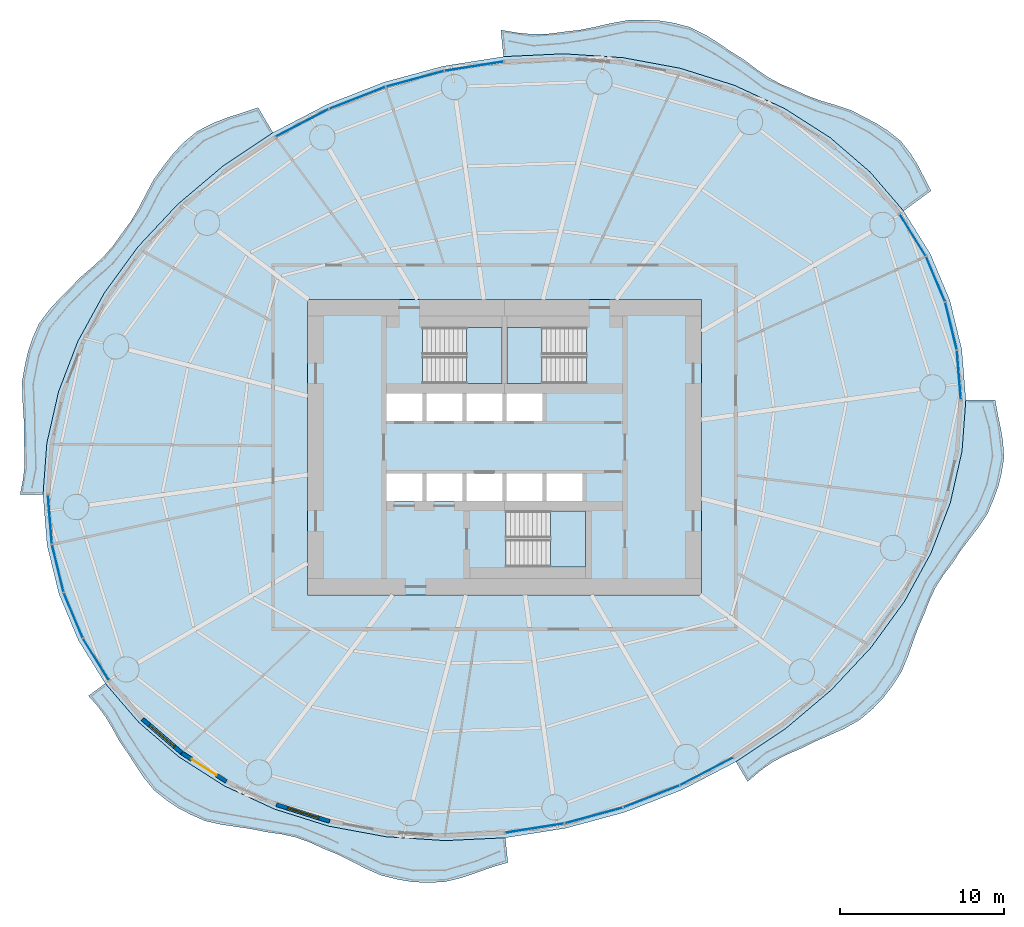
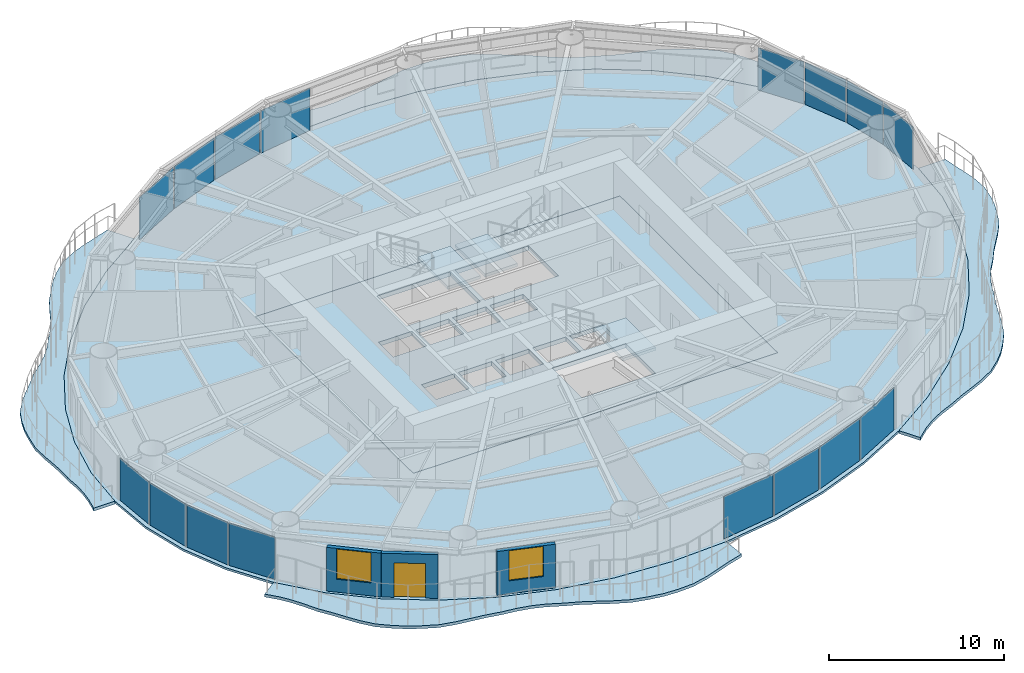
# One storey, part 6 of 14: 16 plates, 9 slabs, 3 walls, 2 windows, 1 door, 3 openings, 19 elements without a shape of their own.
"""IFC4 building model written with IfcOpenShell, lengths in metres."""

from ifc_helpers import new_model, si_unit, direction, frame, frame_2d, origin, origin_2d, place, context, subcontext, project, spatial, polyline, rectangle, outline, extrude, material, layer, layer_set, type_object, element, fill, aggregate, save


model = new_model("IFC4")

# Units and contexts
model_context = context("Model", 3, precision=1e-05, world=origin(), true_north=direction((0.0, 1.0)))
body_context = subcontext(model_context, "Body", "Model", "MODEL_VIEW")
ifc_project = project(units=[si_unit("LENGTHUNIT", "METRE"), si_unit("AREAUNIT", "SQUARE_METRE"), si_unit("VOLUMEUNIT", "CUBIC_METRE"), si_unit("PLANEANGLEUNIT", "RADIAN"), si_unit("MASSUNIT", "GRAM", prefix="KILO")], contexts=[model_context])

# Site, building, storey
site_placement = place(None, origin())
site = spatial("IfcSite", under=ifc_project, at=site_placement, CompositionType="ELEMENT")
building_placement = place(site_placement, origin())
building = spatial("IfcBuilding", under=site, at=building_placement, Name="Vermilion Reach Broadcast Tower", CompositionType="ELEMENT")
storey_placement = place(building_placement, frame((0.0, 0.0, 106.60009765625)))
storey = spatial("IfcBuildingStorey", under=building, at=storey_placement, Name="L24", CompositionType="ELEMENT", Elevation=106.60009765625)

# Slabs
ifc_material_1 = material(Name="Concrete C40/50", Category="concrete")
ifc_layer_1 = layer(ifc_material_1, 0.199951171875)
ifc_layer_set_1 = layer_set([ifc_layer_1], Name="Balcony slab 200")
slab_type_1 = type_object("IfcSlabType", Name="Balcony slab 200", PredefinedType="FLOOR", material=ifc_layer_set_1)
placement_1 = place(storey_placement, frame((0.0, 0.0, -0.2001953125)))
element("IfcSlab", 1, at=placement_1, inside=storey, type_object=slab_type_1, Name="Balcony slab L24 group 1", PredefinedType="FLOOR", context=body_context, shape_type="SweptSolid", body=[
    extrude(outline(polyline([(18.32763671875, 14.401123046875), (16.27783203125, 16.780517578125), (13.846923828125, 18.873046875), (11.076416015625, 20.642578125), (8.013671875, 22.058837890625), (4.711181640625, 23.09765625), (1.2255859375, 23.741455078125), (-2.384033203125, 23.978759765625), (-6.05517578125, 23.805908203125), (-6.22119140625, 25.42919921875), (-5.203857421875, 25.259521484375), (-4.27978515625, 25.1708984375), (-3.360595703125, 25.188232421875), (-2.371337890625, 25.319580078125), (-1.382080078125, 25.43310546875), (-0.463623046875, 25.61767578125), (0.456787109375, 25.83154296875), (1.51025390625, 26.023193359375), (2.55078125, 26.03857421875), (3.444580078125, 25.99853515625), (4.3203125, 25.86083984375), (5.331787109375, 25.593505859375), (6.257568359375, 25.12890625), (7.014404296875, 24.650634765625), (7.76171875, 24.142333984375), (8.612548828125, 23.607421875), (9.386962890625, 23.018798828125), (10.09326171875, 22.5361328125), (10.835693359375, 22.131591796875), (11.696533203125, 21.775390625), (12.528564453125, 21.389404296875), (13.32421875, 21.108154296875), (14.143310546875, 20.864013671875), (15.095703125, 20.552001953125), (15.96435546875, 20.103759765625), (16.69140625, 19.71923828125), (17.375244140625, 19.284423828125), (18.156494140625, 18.659912109375), (18.762451171875, 17.884521484375), (19.18212890625, 17.209716796875), (19.554931640625, 16.494384765625), (20.001953125, 15.63134765625), (18.32763671875, 14.401123046875)])), origin(), (0.0, 0.0, 1.0), 0.2001953125),
])
element("IfcSlab", 2, at=placement_1, inside=storey, type_object=slab_type_1, Name="Balcony slab L24 group 2", PredefinedType="FLOOR", context=body_context, shape_type="SweptSolid", body=[
    extrude(outline(polyline([(-20.109375, 19.17431640625), (-23.1640625, 17.130615234375), (-25.925048828125, 14.793701171875), (-28.34521484375, 12.203857421875), (-30.3828125, 9.405029296875), (-32.00341796875, 6.4453125), (-33.178955078125, 3.375244140625), (-33.8896484375, 0.24755859375), (-34.123046875, -2.884521484375), (-35.526123046875, -2.888671875), (-35.34716796875, -2.005859375), (-35.2529296875, -1.2255859375), (-35.239990234375, -0.439208984375), (-35.294921875, 0.458251953125), (-35.277099609375, 1.385009765625), (-35.323486328125, 2.2177734375), (-35.383544921875, 3.0537109375), (-35.391845703125, 4.046630859375), (-35.21533203125, 5.03515625), (-35.032958984375, 5.84521484375), (-34.771484375, 6.625244140625), (-34.3642578125, 7.53759765625), (-33.751220703125, 8.364013671875), (-33.1630859375, 9.00390625), (-32.54052734375, 9.62451171875), (-31.858154296875, 10.340576171875), (-31.09521484375, 10.994384765625), (-30.4482421875, 11.59375), (-29.870361328125, 12.243896484375), (-29.325927734375, 13.01416015625), (-28.75048828125, 13.79541015625), (-28.2890625, 14.576904296875), (-27.86767578125, 15.39599609375), (-27.375244140625, 16.31689453125), (-26.75341796875, 17.17236328125), (-26.185791015625, 17.901611328125), (-25.5595703125, 18.561279296875), (-24.75146484375, 19.236083984375), (-23.800537109375, 19.734619140625), (-22.923095703125, 20.075439453125), (-22.013671875, 20.368408203125), (-21.014404296875, 20.7021484375), (-20.109375, 19.17431640625)])), origin(), (0.0, 0.0, 1.0), 0.2001953125),
])
element("IfcSlab", 3, at=placement_1, inside=storey, type_object=slab_type_1, Name="Balcony slab L24 group 3", PredefinedType="FLOOR", context=body_context, shape_type="SweptSolid", body=[
    extrude(outline(polyline([(-30.32763671875, -14.401123046875), (-28.27783203125, -16.780517578125), (-25.846923828125, -18.873046875), (-23.076416015625, -20.642578125), (-20.013671875, -22.058837890625), (-16.711181640625, -23.09765625), (-13.2255859375, -23.741455078125), (-9.615966796875, -23.978759765625), (-5.94482421875, -23.805908203125), (-5.790771484375, -25.311767578125), (-6.780029296875, -25.606201171875), (-7.6845703125, -25.927001953125), (-8.590087890625, -26.234130859375), (-9.639404296875, -26.492431640625), (-10.69091796875, -26.5419921875), (-11.59423828125, -26.4970703125), (-12.490478515625, -26.345947265625), (-13.51904296875, -26.093505859375), (-14.482421875, -25.668701171875), (-15.30517578125, -25.24365234375), (-16.13037109375, -24.83251953125), (-17.049072265625, -24.45654296875), (-17.92041015625, -24.05712890625), (-18.738525390625, -23.773681640625), (-19.586181640625, -23.583984375), (-20.55126953125, -23.44921875), (-21.496337890625, -23.2548828125), (-22.367919921875, -23.130126953125), (-23.239013671875, -23.00390625), (-24.24462890625, -22.777099609375), (-25.156005859375, -22.371826171875), (-25.88623046875, -21.988037109375), (-26.568359375, -21.529541015625), (-27.35595703125, -20.901611328125), (-27.987060546875, -20.130126953125), (-28.450439453125, -19.439208984375), (-28.899658203125, -18.732177734375), (-29.447509765625, -17.95068359375), (-29.892578125, -17.13525390625), (-30.30078125, -16.45068359375), (-30.764892578125, -15.81396484375), (-31.3544921875, -15.15576171875), (-30.32763671875, -14.401123046875)])), origin(), (0.0, 0.0, 1.0), 0.2001953125),
])
element("IfcSlab", 4, at=placement_1, inside=storey, type_object=slab_type_1, Name="Balcony slab L24 group 4", PredefinedType="FLOOR", context=body_context, shape_type="SweptSolid", body=[
    extrude(outline(polyline([(8.109375, -19.17431640625), (11.1640625, -17.130615234375), (13.925048828125, -14.793701171875), (16.34521484375, -12.203857421875), (18.3828125, -9.405029296875), (20.00341796875, -6.4453125), (21.178955078125, -3.375244140625), (21.8896484375, -0.24755859375), (22.123046875, 2.884521484375), (23.906982421875, 2.8896484375), (24.07568359375, 1.95166015625), (24.246826171875, 1.151611328125), (24.3837890625, 0.35400390625), (24.44921875, -0.63134765625), (24.29296875, -1.61572265625), (24.096923828125, -2.3935546875), (23.82080078125, -3.153076171875), (23.439453125, -4.06103515625), (22.87451171875, -4.904541015625), (22.34814453125, -5.5830078125), (21.830078125, -6.2646484375), (21.313720703125, -7.051513671875), (20.740234375, -7.810546875), (20.28955078125, -8.525634765625), (19.92138671875, -9.28564453125), (19.58642578125, -10.168212890625), (19.1904296875, -11.0634765625), (18.884765625, -11.91162109375), (18.5869140625, -12.765380859375), (18.181396484375, -13.720703125), (17.60693359375, -14.595703125), (17.066162109375, -15.30322265625), (16.450927734375, -15.941162109375), (15.661865234375, -16.6181640625), (14.728515625, -17.142822265625), (13.871337890625, -17.530029296875), (13.004150390625, -17.905029296875), (12.087646484375, -18.355712890625), (11.148681640625, -18.76025390625), (10.3349609375, -19.1962890625), (9.582275390625, -19.723876953125), (8.8251953125, -20.383056640625), (8.109375, -19.17431640625)])), origin(), (0.0, 0.0, 1.0), 0.2001953125),
])
ifc_material_2 = material(Name="Concrete C40", Category="concrete")
ifc_layer_2 = layer(ifc_material_2, 0.300048828125)
ifc_layer_set_2 = layer_set([ifc_layer_2], Name="Core floor slab 300 mm Concrete C40")
slab_type_2 = type_object("IfcSlabType", Name="Core floor slab 300 mm Concrete C40", PredefinedType="FLOOR", material=ifc_layer_set_2)
slab_5_placement = place(storey_placement, frame((0.0, 0.0, -0.300048828125)))
element("IfcSlab", 5, at=slab_5_placement, inside=storey, type_object=slab_type_2, Name="L24 core floor", PredefinedType="FLOOR", context=body_context, shape_type="SweptSolid", body=[
    extrude(outline(polyline([(-18.0, -9.0), (6.0, -9.0), (6.0, 9.0), (-18.0, 9.0), (-18.0, -9.0)]), holes=[polyline([(-13.199951171875, 1.60009765625), (-11.00830078125, 1.60009765625), (-11.00830078125, 3.280029296875), (-13.199951171875, 3.280029296875), (-13.199951171875, 1.60009765625)]), polyline([(-10.75830078125, 1.60009765625), (-8.566650390625, 1.60009765625), (-8.566650390625, 3.280029296875), (-10.75830078125, 3.280029296875), (-10.75830078125, 1.60009765625)]), polyline([(-8.316650390625, 1.60009765625), (-6.125, 1.60009765625), (-6.125, 3.280029296875), (-8.316650390625, 3.280029296875), (-8.316650390625, 1.60009765625)]), polyline([(-5.875, 1.60009765625), (-3.683349609375, 1.60009765625), (-3.683349609375, 3.280029296875), (-5.875, 3.280029296875), (-5.875, 1.60009765625)]), polyline([(-13.199951171875, -3.280029296875), (-11.00830078125, -3.280029296875), (-11.00830078125, -1.60009765625), (-13.199951171875, -1.60009765625), (-13.199951171875, -3.280029296875)]), polyline([(-10.75830078125, -3.280029296875), (-8.566650390625, -3.280029296875), (-8.566650390625, -1.60009765625), (-10.75830078125, -1.60009765625), (-10.75830078125, -3.280029296875)]), polyline([(-8.316650390625, -3.280029296875), (-6.125, -3.280029296875), (-6.125, -1.60009765625), (-8.316650390625, -1.60009765625), (-8.316650390625, -3.280029296875)]), polyline([(-5.875, -3.280029296875), (-3.683349609375, -3.280029296875), (-3.683349609375, -1.60009765625), (-5.875, -1.60009765625), (-5.875, -3.280029296875)]), polyline([(-3.433349609375, -3.280029296875), (-1.24169921875, -3.280029296875), (-1.24169921875, -1.60009765625), (-3.433349609375, -1.60009765625), (-3.433349609375, -3.280029296875)]), polyline([(-10.999267578125, 3.8798828125), (-6.14990234375, 3.8798828125), (-6.14990234375, 7.300048828125), (-10.999267578125, 7.300048828125), (-10.999267578125, 3.8798828125)]), polyline([(-1.000732421875, 7.300048828125), (-5.85009765625, 7.300048828125), (-5.85009765625, 3.8798828125), (-1.000732421875, 3.8798828125), (-1.000732421875, 7.300048828125)]), polyline([(-5.8994140625, -7.300048828125), (-1.050048828125, -7.300048828125), (-1.050048828125, -3.8798828125), (-5.8994140625, -3.8798828125), (-5.8994140625, -7.300048828125)])]), origin(), (0.0, 0.0, 1.0), 0.300048828125),
])

# Stair, slab
ifc_material_3 = material(Name="Concrete C40", Category="concrete")
stair_type = type_object("IfcStairType", Name="Exit stair RC 22 risers 164 mm", PredefinedType="HALF_TURN_STAIR", material=ifc_material_3)
placement_2 = place(storey_placement, origin())
stair_1 = element("IfcStair", 6, at=placement_2, inside=storey, type_object=stair_type, Name="L24 Exit stair ST1", PredefinedType="HALF_TURN_STAIR")
ifc_material_4 = material(Name="Concrete C40", Category="concrete")
ifc_layer_3 = layer(ifc_material_4, 0.199951171875)
ifc_layer_set_3 = layer_set([ifc_layer_3], Name="Exit stair landing Concrete C40")
slab_type_3 = type_object("IfcSlabType", Name="Exit stair landing Concrete C40", PredefinedType="LANDING", material=ifc_layer_set_3)
placement_3 = place(storey_placement, frame((0.0, 0.0, 1.599853515625)))
slab_6 = element("IfcSlab", 7, at=placement_3, type_object=slab_type_3, Name="ST1 landing 1", PredefinedType="LANDING", context=body_context, shape_type="SweptSolid", body=[
    extrude(outline(polyline([(-8.300048828125, 3.8798828125), (-6.14990234375, 3.8798828125), (-6.14990234375, 7.300048828125), (-8.300048828125, 7.300048828125), (-8.300048828125, 3.8798828125)])), origin(), (0.0, 0.0, 1.0), 0.199951171875),
])
aggregate(stair_1, [slab_6])

stair_2 = element("IfcStair", 8, at=placement_2, inside=storey, type_object=stair_type, Name="L24 Exit stair ST2", PredefinedType="HALF_TURN_STAIR")
slab_7 = element("IfcSlab", 9, at=placement_3, type_object=slab_type_3, Name="ST2 landing 1", PredefinedType="LANDING", context=body_context, shape_type="SweptSolid", body=[
    extrude(outline(polyline([(-3.699951171875, 7.300048828125), (-5.85009765625, 7.300048828125), (-5.85009765625, 3.8798828125), (-3.699951171875, 3.8798828125), (-3.699951171875, 7.300048828125)])), origin(), (0.0, 0.0, 1.0), 0.199951171875),
])
aggregate(stair_2, [slab_7])

stair_3 = element("IfcStair", 10, at=placement_2, inside=storey, type_object=stair_type, Name="L24 Exit stair ST3", PredefinedType="HALF_TURN_STAIR")
slab_8 = element("IfcSlab", 11, at=placement_3, type_object=slab_type_3, Name="ST3 landing 1", PredefinedType="LANDING", context=body_context, shape_type="SweptSolid", body=[
    extrude(outline(polyline([(-3.199951171875, -7.300048828125), (-1.050048828125, -7.300048828125), (-1.050048828125, -3.8798828125), (-3.199951171875, -3.8798828125), (-3.199951171875, -7.300048828125)])), origin(), (0.0, 0.0, 1.0), 0.199951171875),
])
aggregate(stair_3, [slab_8])

# Slab
ifc_material_5 = material(Name="Concrete C40", Category="concrete")
ifc_layer_4 = layer(ifc_material_5, 0.14990234375)
ifc_layer_set_4 = layer_set([ifc_layer_4], Name="Floor slab Concrete C40 composite 150")
slab_type_4 = type_object("IfcSlabType", Name="Floor slab Concrete C40 composite 150", PredefinedType="FLOOR", material=ifc_layer_set_4)
slab_9_placement = place(storey_placement, frame((0.0, 0.0, -0.150146484375)))
element("IfcSlab", 12, at=slab_9_placement, inside=storey, type_object=slab_type_4, Name="Floor slab L24", PredefinedType="FLOOR", context=body_context, shape_type="SweptSolid", body=[
    extrude(outline(polyline([(21.150390625, 8.947509765625), (19.961181640625, 11.775146484375), (18.32763671875, 14.401123046875), (16.27783203125, 16.780517578125), (13.846923828125, 18.873046875), (11.076416015625, 20.642578125), (8.013671875, 22.058837890625), (4.711181640625, 23.09765625), (1.2255859375, 23.741455078125), (-2.384033203125, 23.978759765625), (-6.05517578125, 23.805908203125), (-9.7255859375, 23.225830078125), (-13.33203125, 22.248291015625), (-16.813232421875, 20.89013671875), (-20.109375, 19.17431640625), (-23.1640625, 17.130615234375), (-25.925048828125, 14.793701171875), (-28.34521484375, 12.203857421875), (-30.3828125, 9.405029296875), (-32.00341796875, 6.4453125), (-33.178955078125, 3.375244140625), (-33.8896484375, 0.24755859375), (-34.123046875, -2.884521484375), (-33.875244140625, -5.967041015625), (-33.150390625, -8.947509765625), (-31.961181640625, -11.775146484375), (-30.32763671875, -14.401123046875), (-28.27783203125, -16.780517578125), (-25.846923828125, -18.873046875), (-23.076416015625, -20.642578125), (-20.013671875, -22.058837890625), (-16.711181640625, -23.09765625), (-13.2255859375, -23.741455078125), (-9.615966796875, -23.978759765625), (-5.94482421875, -23.805908203125), (-2.2744140625, -23.225830078125), (1.33203125, -22.248291015625), (4.813232421875, -20.89013671875), (8.109375, -19.17431640625), (11.1640625, -17.130615234375), (13.925048828125, -14.793701171875), (16.34521484375, -12.203857421875), (18.3828125, -9.405029296875), (20.00341796875, -6.4453125), (21.178955078125, -3.375244140625), (21.8896484375, -0.24755859375), (22.123046875, 2.884521484375), (21.875244140625, 5.967041015625), (21.150390625, 8.947509765625)]), holes=[polyline([(-18.0, -9.0), (6.0, -9.0), (6.0, 9.0), (-18.0, 9.0), (-18.0, -9.0)])]), origin(), (0.0, 0.0, 1.0), 0.150146484375),
])

# Curtain wall, plate
ifc_material_6 = material(Name="Low-e laminated clear glass in aluminium frame", Category="aluminium")
curtain_wall_type = type_object("IfcCurtainWallType", Name="Slot curtain wall", PredefinedType="NOTDEFINED", material=ifc_material_6)
curtain_wall_1 = element("IfcCurtainWall", 13, at=placement_2, inside=storey, type_object=curtain_wall_type, Name="Slot curtain wall L24 46", PredefinedType="NOTDEFINED")
ifc_material_7 = material(Name="Low-e laminated clear glass", Category="glass")
ifc_layer_5 = layer(ifc_material_7, 0.028076171875)
ifc_layer_set_5 = layer_set([ifc_layer_5], Name="Slot glass panel")
plate_type = type_object("IfcPlateType", Name="Slot glass panel", PredefinedType="CURTAIN_PANEL", material=ifc_layer_set_5)
plate_1_placement = place(storey_placement, frame((21.700927734375, 4.401611328125, 0.0), z_axis=(0.0, 0.0, 1.0), x_axis=(-0.080120343309, 0.996785197818, 0.0)))
plate_1 = element("IfcPlate", 14, at=plate_1_placement, type_object=plate_type, Name="Slot glass panel L24 46", PredefinedType="CURTAIN_PANEL", context=body_context, shape_type="SweptSolid", body=[
    extrude(rectangle(XDim=2.965576171875, YDim=0.028076171875, at=origin_2d()), origin(), (0.0, 0.0, 1.0), 2.949951171875),
])
aggregate(curtain_wall_1, [plate_1])

curtain_wall_2 = element("IfcCurtainWall", 15, at=placement_2, inside=storey, type_object=curtain_wall_type, Name="Slot curtain wall L24 47", PredefinedType="NOTDEFINED")
plate_2_placement = place(storey_placement, frame((21.22216796875, 7.38671875, 0.0), z_axis=(0.0, 0.0, 1.0), x_axis=(-0.23627468816, 0.971686303153, 0.0)))
plate_2 = element("IfcPlate", 16, at=plate_2_placement, type_object=plate_type, Name="Slot glass panel L24 47", PredefinedType="CURTAIN_PANEL", context=body_context, shape_type="SweptSolid", body=[
    extrude(rectangle(XDim=2.939697265625, YDim=0.028076171875, at=origin_2d()), origin(), (0.0, 0.0, 1.0), 2.949951171875),
])
aggregate(curtain_wall_2, [plate_2])

curtain_wall_3 = element("IfcCurtainWall", 17, at=placement_2, inside=storey, type_object=curtain_wall_type, Name="Slot curtain wall L24 00", PredefinedType="NOTDEFINED")
plate_3_placement = place(storey_placement, frame((20.280029296875, 10.245361328125, 0.0), z_axis=(0.0, 0.0, 1.0), x_axis=(-0.387728156201, 0.921773766653, 0.0)))
plate_3 = element("IfcPlate", 18, at=plate_3_placement, type_object=plate_type, Name="Slot glass panel L24 00", PredefinedType="CURTAIN_PANEL", context=body_context, shape_type="SweptSolid", body=[
    extrude(rectangle(XDim=2.939697265625, YDim=0.028076171875, at=origin_2d()), origin(), (0.0, 0.0, 1.0), 2.949951171875),
])
aggregate(curtain_wall_3, [plate_3])

curtain_wall_4 = element("IfcCurtainWall", 19, at=placement_2, inside=storey, type_object=curtain_wall_type, Name="Slot curtain wall L24 01", PredefinedType="NOTDEFINED")
plate_4_placement = place(storey_placement, frame((18.890380859375, 12.93017578125, 0.0), z_axis=(0.0, 0.0, 1.0), x_axis=(-0.528209102229, 0.849114329359, 0.0)))
plate_4 = element("IfcPlate", 20, at=plate_4_placement, type_object=plate_type, Name="Slot glass panel L24 01", PredefinedType="CURTAIN_PANEL", context=body_context, shape_type="SweptSolid", body=[
    extrude(rectangle(XDim=2.965576171875, YDim=0.028076171875, at=origin_2d()), origin(), (0.0, 0.0, 1.0), 2.949951171875),
])
aggregate(curtain_wall_4, [plate_4])

curtain_wall_5 = element("IfcCurtainWall", 21, at=placement_2, inside=storey, type_object=curtain_wall_type, Name="Slot curtain wall L24 10", PredefinedType="NOTDEFINED")
plate_5_placement = place(storey_placement, frame((-7.84375, 23.219970703125, 0.0), z_axis=(0.0, 0.0, 1.0), x_axis=(-0.987736178392, -0.15613212961, 0.0)))
plate_5 = element("IfcPlate", 22, at=plate_5_placement, type_object=plate_type, Name="Slot glass panel L24 10", PredefinedType="CURTAIN_PANEL", context=body_context, shape_type="SweptSolid", body=[
    extrude(rectangle(XDim=3.603271484375, YDim=0.028076171875, at=origin_2d()), origin(), (0.0, 0.0, 1.0), 2.949951171875),
])
aggregate(curtain_wall_5, [plate_5])

curtain_wall_6 = element("IfcCurtainWall", 23, at=placement_2, inside=storey, type_object=curtain_wall_type, Name="Slot curtain wall L24 11", PredefinedType="NOTDEFINED")
plate_6_placement = place(storey_placement, frame((-11.450439453125, 22.447998046875, 0.0), z_axis=(0.0, 0.0, 1.0), x_axis=(-0.965173428042, -0.261610882422, 0.0)))
plate_6 = element("IfcPlate", 24, at=plate_6_placement, type_object=plate_type, Name="Slot glass panel L24 11", PredefinedType="CURTAIN_PANEL", context=body_context, shape_type="SweptSolid", body=[
    extrude(rectangle(XDim=3.62451171875, YDim=0.028076171875, at=origin_2d()), origin(), (0.0, 0.0, 1.0), 2.949951171875),
])
aggregate(curtain_wall_6, [plate_6])

curtain_wall_7 = element("IfcCurtainWall", 25, at=placement_2, inside=storey, type_object=curtain_wall_type, Name="Slot curtain wall L24 12", PredefinedType="NOTDEFINED")
plate_7_placement = place(storey_placement, frame((-14.963623046875, 21.2900390625, 0.0), z_axis=(0.0, 0.0, 1.0), x_axis=(-0.931600336903, -0.363484266898, 0.0)))
plate_7 = element("IfcPlate", 26, at=plate_7_placement, type_object=plate_type, Name="Slot glass panel L24 12", PredefinedType="CURTAIN_PANEL", context=body_context, shape_type="SweptSolid", body=[
    extrude(rectangle(XDim=3.62451171875, YDim=0.028076171875, at=origin_2d()), origin(), (0.0, 0.0, 1.0), 2.949951171875),
])
aggregate(curtain_wall_7, [plate_7])

curtain_wall_8 = element("IfcCurtainWall", 27, at=placement_2, inside=storey, type_object=curtain_wall_type, Name="Slot curtain wall L24 13", PredefinedType="NOTDEFINED")
plate_8_placement = place(storey_placement, frame((-18.322998046875, 19.7666015625, 0.0), z_axis=(0.0, 0.0, 1.0), x_axis=(-0.887030593221, -0.461710652563, 0.0)))
plate_8 = element("IfcPlate", 28, at=plate_8_placement, type_object=plate_type, Name="Slot glass panel L24 13", PredefinedType="CURTAIN_PANEL", context=body_context, shape_type="SweptSolid", body=[
    extrude(rectangle(XDim=3.603271484375, YDim=0.028076171875, at=origin_2d()), origin(), (0.0, 0.0, 1.0), 2.949951171875),
])
aggregate(curtain_wall_8, [plate_8])

curtain_wall_9 = element("IfcCurtainWall", 29, at=placement_2, inside=storey, type_object=curtain_wall_type, Name="Slot curtain wall L24 22", PredefinedType="NOTDEFINED")
plate_9_placement = place(storey_placement, frame((-33.700927734375, -4.401611328125, 0.0), z_axis=(0.0, 0.0, 1.0), x_axis=(0.080120343309, -0.996785197818, 0.0)))
plate_9 = element("IfcPlate", 30, at=plate_9_placement, type_object=plate_type, Name="Slot glass panel L24 22", PredefinedType="CURTAIN_PANEL", context=body_context, shape_type="SweptSolid", body=[
    extrude(rectangle(XDim=2.965576171875, YDim=0.028076171875, at=origin_2d()), origin(), (0.0, 0.0, 1.0), 2.949951171875),
])
aggregate(curtain_wall_9, [plate_9])

curtain_wall_10 = element("IfcCurtainWall", 31, at=placement_2, inside=storey, type_object=curtain_wall_type, Name="Slot curtain wall L24 23", PredefinedType="NOTDEFINED")
plate_10_placement = place(storey_placement, frame((-33.22216796875, -7.38671875, 0.0), z_axis=(0.0, 0.0, 1.0), x_axis=(0.23627468816, -0.971686303153, 0.0)))
plate_10 = element("IfcPlate", 32, at=plate_10_placement, type_object=plate_type, Name="Slot glass panel L24 23", PredefinedType="CURTAIN_PANEL", context=body_context, shape_type="SweptSolid", body=[
    extrude(rectangle(XDim=2.939697265625, YDim=0.028076171875, at=origin_2d()), origin(), (0.0, 0.0, 1.0), 2.949951171875),
])
aggregate(curtain_wall_10, [plate_10])

curtain_wall_11 = element("IfcCurtainWall", 33, at=placement_2, inside=storey, type_object=curtain_wall_type, Name="Slot curtain wall L24 24", PredefinedType="NOTDEFINED")
plate_11_placement = place(storey_placement, frame((-32.280029296875, -10.245361328125, 0.0), z_axis=(0.0, 0.0, 1.0), x_axis=(0.387728156201, -0.921773766653, 0.0)))
plate_11 = element("IfcPlate", 34, at=plate_11_placement, type_object=plate_type, Name="Slot glass panel L24 24", PredefinedType="CURTAIN_PANEL", context=body_context, shape_type="SweptSolid", body=[
    extrude(rectangle(XDim=2.939697265625, YDim=0.028076171875, at=origin_2d()), origin(), (0.0, 0.0, 1.0), 2.949951171875),
])
aggregate(curtain_wall_11, [plate_11])

curtain_wall_12 = element("IfcCurtainWall", 35, at=placement_2, inside=storey, type_object=curtain_wall_type, Name="Slot curtain wall L24 25", PredefinedType="NOTDEFINED")
plate_12_placement = place(storey_placement, frame((-30.890380859375, -12.93017578125, 0.0), z_axis=(0.0, 0.0, 1.0), x_axis=(0.528209102229, -0.849114329359, 0.0)))
plate_12 = element("IfcPlate", 36, at=plate_12_placement, type_object=plate_type, Name="Slot glass panel L24 25", PredefinedType="CURTAIN_PANEL", context=body_context, shape_type="SweptSolid", body=[
    extrude(rectangle(XDim=2.965576171875, YDim=0.028076171875, at=origin_2d()), origin(), (0.0, 0.0, 1.0), 2.949951171875),
])
aggregate(curtain_wall_12, [plate_12])

curtain_wall_13 = element("IfcCurtainWall", 37, at=placement_2, inside=storey, type_object=curtain_wall_type, Name="Slot curtain wall L24 34", PredefinedType="NOTDEFINED")
plate_13_placement = place(storey_placement, frame((-4.15625, -23.219970703125, 0.0), z_axis=(0.0, 0.0, 1.0), x_axis=(0.987736178392, 0.15613212961, 0.0)))
plate_13 = element("IfcPlate", 38, at=plate_13_placement, type_object=plate_type, Name="Slot glass panel L24 34", PredefinedType="CURTAIN_PANEL", context=body_context, shape_type="SweptSolid", body=[
    extrude(rectangle(XDim=3.603271484375, YDim=0.028076171875, at=origin_2d()), origin(), (0.0, 0.0, 1.0), 2.949951171875),
])
aggregate(curtain_wall_13, [plate_13])

curtain_wall_14 = element("IfcCurtainWall", 39, at=placement_2, inside=storey, type_object=curtain_wall_type, Name="Slot curtain wall L24 35", PredefinedType="NOTDEFINED")
plate_14_placement = place(storey_placement, frame((-0.549560546875, -22.447998046875, 0.0), z_axis=(0.0, 0.0, 1.0), x_axis=(0.965173428042, 0.261610882422, 0.0)))
plate_14 = element("IfcPlate", 40, at=plate_14_placement, type_object=plate_type, Name="Slot glass panel L24 35", PredefinedType="CURTAIN_PANEL", context=body_context, shape_type="SweptSolid", body=[
    extrude(rectangle(XDim=3.62451171875, YDim=0.028076171875, at=origin_2d()), origin(), (0.0, 0.0, 1.0), 2.949951171875),
])
aggregate(curtain_wall_14, [plate_14])

curtain_wall_15 = element("IfcCurtainWall", 41, at=placement_2, inside=storey, type_object=curtain_wall_type, Name="Slot curtain wall L24 36", PredefinedType="NOTDEFINED")
plate_15_placement = place(storey_placement, frame((2.963623046875, -21.2900390625, 0.0), z_axis=(0.0, 0.0, 1.0), x_axis=(0.931600336903, 0.363484266898, 0.0)))
plate_15 = element("IfcPlate", 42, at=plate_15_placement, type_object=plate_type, Name="Slot glass panel L24 36", PredefinedType="CURTAIN_PANEL", context=body_context, shape_type="SweptSolid", body=[
    extrude(rectangle(XDim=3.62451171875, YDim=0.028076171875, at=origin_2d()), origin(), (0.0, 0.0, 1.0), 2.949951171875),
])
aggregate(curtain_wall_15, [plate_15])

curtain_wall_16 = element("IfcCurtainWall", 43, at=placement_2, inside=storey, type_object=curtain_wall_type, Name="Slot curtain wall L24 37", PredefinedType="NOTDEFINED")
plate_16_placement = place(storey_placement, frame((6.322998046875, -19.7666015625, 0.0), z_axis=(0.0, 0.0, 1.0), x_axis=(0.887030593221, 0.461710652563, 0.0)))
plate_16 = element("IfcPlate", 44, at=plate_16_placement, type_object=plate_type, Name="Slot glass panel L24 37", PredefinedType="CURTAIN_PANEL", context=body_context, shape_type="SweptSolid", body=[
    extrude(rectangle(XDim=3.603271484375, YDim=0.028076171875, at=origin_2d()), origin(), (0.0, 0.0, 1.0), 2.949951171875),
])
aggregate(curtain_wall_16, [plate_16])

# Wall, opening, window
ifc_material_8 = material(Name="Terracotta rainscreen cladding", Category="masonry")
ifc_layer_6 = layer(ifc_material_8, 0.25)
ifc_layer_set_6 = layer_set([ifc_layer_6], Name="Terracotta rainscreen wall 250")
wall_type = type_object("IfcWallType", Name="Terracotta rainscreen wall 250", PredefinedType="SOLIDWALL", material=ifc_layer_set_6)
wall_1_placement = place(storey_placement, frame((-28.055908203125, -16.576904296875, 0.0), z_axis=(0.0, 0.0, 1.0), x_axis=(0.757892764479, -0.652379151683, 0.0)))
wall_1 = element("IfcWall", 45, at=wall_1_placement, inside=storey, type_object=wall_type, Name="External wall L24 27", PredefinedType="SOLIDWALL", context=body_context, shape_type="SweptSolid", body=[
    extrude(rectangle(XDim=3.137451171875, YDim=0.25, at=frame_2d((1.56884765625, 0.0))), origin(), (0.0, 0.0, 1.0), 3.0498046875),
])
opening_1_placement = place(wall_1_placement, frame((0.56884765625, 0.0, 0.89990234375)))
opening_1 = element("IfcOpeningElement", 46, at=opening_1_placement, cuts=wall_1, Name="Opening W03", PredefinedType="OPENING", context=body_context, shape_type="SweptSolid", body=[
    extrude(rectangle(XDim=2.0, YDim=2.10009765625, at=frame_2d((1.0, 1.050048828125))), frame((0.0, 0.135009765625, 0.0), z_axis=(0.0, -1.0, 0.0), x_axis=(1.0, 0.0, 0.0)), (0.0, 0.0, 1.0), 0.27001953125),
])
ifc_material_9 = material(Name="Low-e laminated clear glass in aluminium frame", Category="aluminium")
window_type = type_object("IfcWindowType", Name="Punched window 2000 x 2100 sill 900", PartitioningType="SINGLE_PANEL", PredefinedType="WINDOW", material=ifc_material_9)
window_1_placement = place(opening_1_placement, origin())
window_1 = element("IfcWindow", 47, at=window_1_placement, inside=storey, type_object=window_type, Name="Window L24 27", OverallHeight=2.10009765625, OverallWidth=2.0, PartitioningType="SINGLE_PANEL", PredefinedType="WINDOW", context=body_context, shape_type="SweptSolid", body=[
    extrude(rectangle(XDim=2.0, YDim=2.10009765625, at=frame_2d((1.0, 1.050048828125))), frame((0.0, 0.030029296875, 0.0), z_axis=(0.0, -1.0, 0.0), x_axis=(1.0, 0.0, 0.0)), (0.0, 0.0, 1.0), 0.06005859375),
])
fill(opening_1, window_1)

# Wall, opening, door
wall_2_placement = place(storey_placement, frame((-25.6572265625, -18.63916015625, 0.0), z_axis=(0.0, 0.0, 1.0), x_axis=(0.842783191824, -0.538253185387, 0.0)))
wall_2 = element("IfcWall", 48, at=wall_2_placement, inside=storey, type_object=wall_type, Name="External wall L24 28", PredefinedType="SOLIDWALL", context=body_context, shape_type="SweptSolid", body=[
    extrude(rectangle(XDim=3.220458984375, YDim=0.25, at=frame_2d((1.6103515625, 0.0))), origin(), (0.0, 0.0, 1.0), 3.0498046875),
])
opening_2_placement = place(wall_2_placement, frame((0.7099609375, 0.0, 0.0)))
opening_2 = element("IfcOpeningElement", 49, at=opening_2_placement, cuts=wall_2, Name="Opening D70", PredefinedType="OPENING", context=body_context, shape_type="SweptSolid", body=[
    extrude(rectangle(XDim=1.800048828125, YDim=2.39990234375, at=frame_2d((0.89990234375, 1.199951171875))), frame((0.0, 0.135009765625, 0.0), z_axis=(0.0, -1.0, 0.0), x_axis=(1.0, 0.0, 0.0)), (0.0, 0.0, 1.0), 0.27001953125),
])
ifc_material_10 = material(Name="Low-e laminated clear glass in aluminium frame", Category="aluminium")
door_type = type_object("IfcDoorType", Name="Balcony sliding door 1800 x 2400", OperationType="DOUBLE_DOOR_SLIDING", PredefinedType="DOOR", material=ifc_material_10)
door_placement = place(opening_2_placement, origin())
door = element("IfcDoor", 50, at=door_placement, inside=storey, type_object=door_type, Name="Balcony door L24 run 07", OperationType="DOUBLE_DOOR_SLIDING", OverallHeight=2.39990234375, OverallWidth=1.800048828125, PredefinedType="DOOR", context=body_context, shape_type="SweptSolid", body=[
    extrude(rectangle(XDim=1.800048828125, YDim=2.39990234375, at=frame_2d((0.89990234375, 1.199951171875))), frame((0.0, 0.02490234375, 0.0), z_axis=(0.0, -1.0, 0.0), x_axis=(1.0, 0.0, 0.0)), (0.0, 0.0, 1.0), 0.050048828125),
])
fill(opening_2, door)

# Wall, opening, window
wall_3_placement = place(storey_placement, frame((-19.894287109375, -21.782470703125, 0.0), z_axis=(0.0, 0.0, 1.0), x_axis=(0.953916243861, -0.300072990618, 0.0)))
wall_3 = element("IfcWall", 51, at=wall_3_placement, inside=storey, type_object=wall_type, Name="External wall L24 30", PredefinedType="SOLIDWALL", context=body_context, shape_type="SweptSolid", body=[
    extrude(rectangle(XDim=3.40087890625, YDim=0.25, at=frame_2d((1.700439453125, 0.0))), origin(), (0.0, 0.0, 1.0), 3.0498046875),
])
opening_3_placement = place(wall_3_placement, frame((0.700439453125, 0.0, 0.89990234375)))
opening_3 = element("IfcOpeningElement", 52, at=opening_3_placement, cuts=wall_3, Name="Opening W03", PredefinedType="OPENING", context=body_context, shape_type="SweptSolid", body=[
    extrude(rectangle(XDim=2.0, YDim=2.10009765625, at=frame_2d((1.0, 1.050048828125))), frame((0.0, 0.135009765625, 0.0), z_axis=(0.0, -1.0, 0.0), x_axis=(1.0, 0.0, 0.0)), (0.0, 0.0, 1.0), 0.27001953125),
])
window_2_placement = place(opening_3_placement, origin())
window_2 = element("IfcWindow", 53, at=window_2_placement, inside=storey, type_object=window_type, Name="Window L24 30", OverallHeight=2.10009765625, OverallWidth=2.0, PartitioningType="SINGLE_PANEL", PredefinedType="WINDOW", context=body_context, shape_type="SweptSolid", body=[
    extrude(rectangle(XDim=2.0, YDim=2.10009765625, at=frame_2d((1.0, 1.050048828125))), frame((0.0, 0.030029296875, 0.0), z_axis=(0.0, -1.0, 0.0), x_axis=(1.0, 0.0, 0.0)), (0.0, 0.0, 1.0), 0.06005859375),
])
fill(opening_3, window_2)

save(model, "model.ifc")
